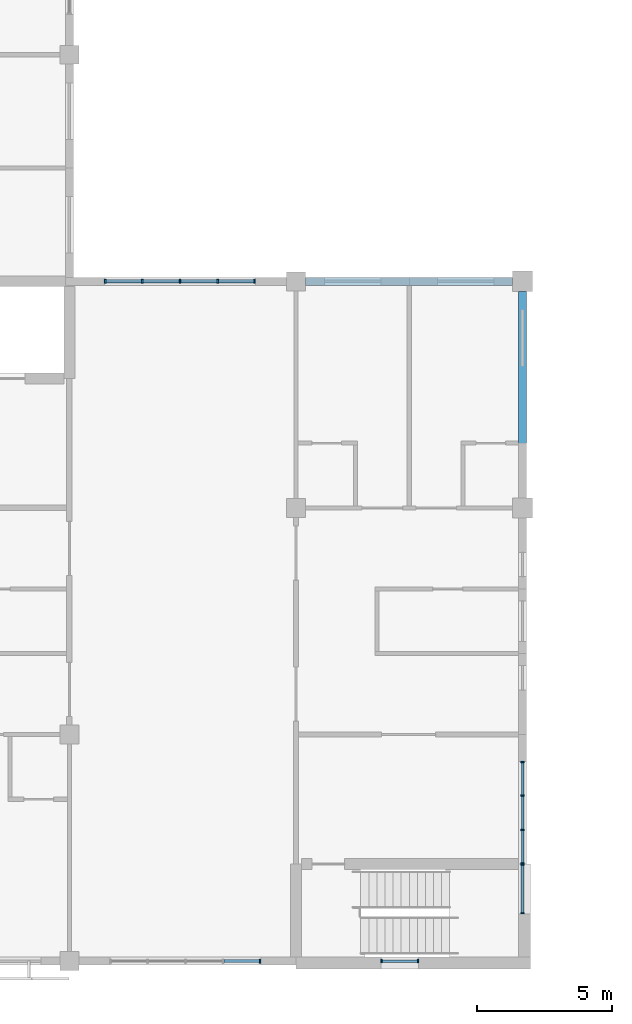
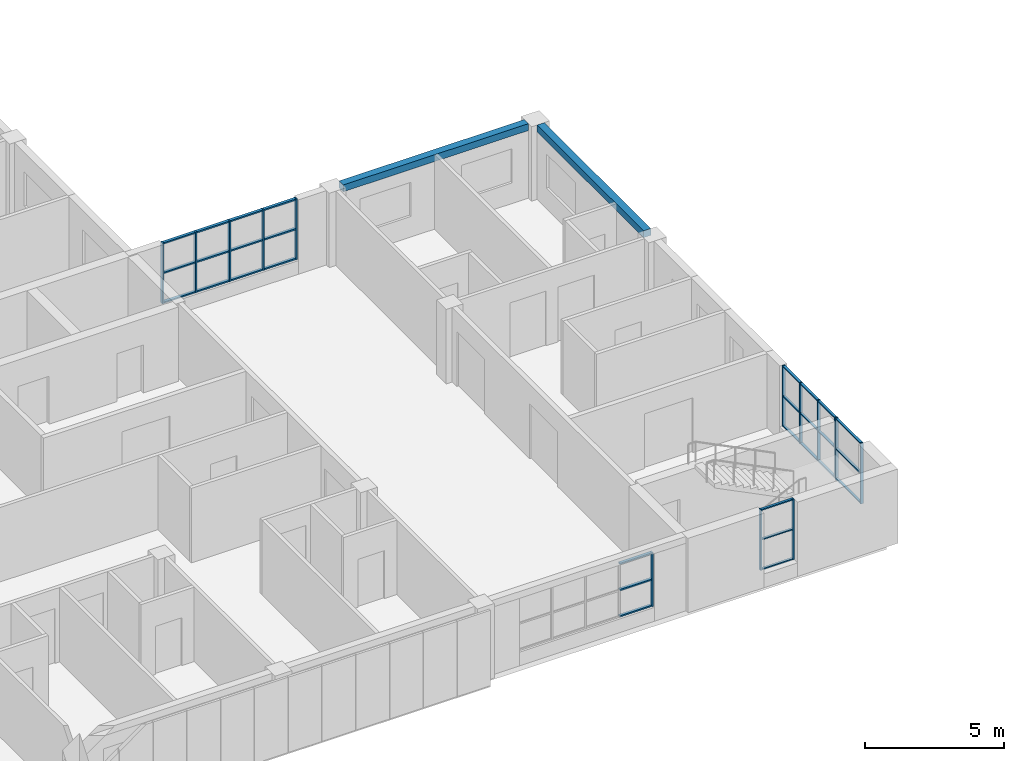
# One storey, part 4 of 45: 44 members, 2 beams, 5 elements without a shape of their own.
"""IFC4 building model written with IfcOpenShell, lengths in metres."""

from ifc_helpers import new_model, si_unit, direction, frame, origin, origin_2d, place, context, subcontext, project, spatial, rectangle, extrude, material, material_profile, profile_set, type_object, element, aggregate, save


model = new_model("IFC4")

# Units and contexts
model_context = context("Model", 3, precision=1e-05, world=origin(), true_north=direction((0.0, 1.0)))
body_context = subcontext(model_context, "Body", "Model", "MODEL_VIEW")
ifc_project = project(units=[si_unit("LENGTHUNIT", "METRE"), si_unit("AREAUNIT", "SQUARE_METRE"), si_unit("VOLUMEUNIT", "CUBIC_METRE"), si_unit("PLANEANGLEUNIT", "RADIAN"), si_unit("MASSUNIT", "GRAM", prefix="KILO")], contexts=[model_context])

# Site, building, storey
site_placement = place(None, origin())
site = spatial("IfcSite", under=ifc_project, at=site_placement, CompositionType="ELEMENT")
building_placement = place(site_placement, origin())
building = spatial("IfcBuilding", under=site, at=building_placement, Name="Yavir Park General Hospital", CompositionType="ELEMENT")
storey_placement = place(building_placement, frame((0.0, 0.0, 22.5)))
storey = spatial("IfcBuildingStorey", under=building, at=storey_placement, Name="L05", CompositionType="ELEMENT", Elevation=22.5)

# Curtain wall, members
ifc_material_1 = material(Name="Aluminium curtain wall frame with insulated glazing", Category="aluminium")
curtain_wall_type_1 = type_object("IfcCurtainWallType", Name="Day room pocket glazing, ward floors, 2360 high, 1400 module", PredefinedType="NOTDEFINED", material=ifc_material_1)
curtain_wall_1_placement = place(storey_placement, origin())
curtain_wall_1 = element("IfcCurtainWall", 1, at=curtain_wall_1_placement, inside=storey, type_object=curtain_wall_type_1, Name="CW6 L05-002", PredefinedType="NOTDEFINED")
ifc_material_2 = material(Name="Aluminium", Category="aluminium")
ifc_material_profile_1 = material_profile(ifc_material_2, rectangle(XDim=0.139892578125, YDim=0.06005859375, at=origin_2d()), Name="AL 60x140")
ifc_profile_set_1 = profile_set([ifc_material_profile_1], Name="Aluminium")
member_type_1 = type_object("IfcMemberType", Name="Day room pocket glazing, ward floors, 2360 high mullion 60 x 140", PredefinedType="MULLION", material=ifc_profile_set_1)
member_1_placement = place(storey_placement, frame((32.27001953125, 0.0, 0.60009765625), z_axis=(0.0, 0.0, 1.0), x_axis=(0.0, 1.0, 0.0)))
member_1 = element("IfcMember", 2, at=member_1_placement, type_object=member_type_1, Name="CW6 mullion 5", PredefinedType="MULLION", context=body_context, shape_type="SweptSolid", body=[
    extrude(rectangle(XDim=0.139892578125, YDim=0.06005859375, at=origin_2d()), origin(), (0.0, 0.0, 1.0), 2.35986328125),
])
ifc_material_3 = material(Name="Aluminium", Category="aluminium")
ifc_material_profile_2 = material_profile(ifc_material_3, rectangle(XDim=0.1201171875, YDim=0.06005859375, at=origin_2d()), Name="AL 120x60")
ifc_profile_set_2 = profile_set([ifc_material_profile_2], Name="Aluminium")
member_type_2 = type_object("IfcMemberType", Name="Day room pocket glazing, ward floors, 2360 high transom 60 x 120", PredefinedType="MULLION", material=ifc_profile_set_2)
member_2_placement = place(storey_placement, frame((30.929931640625, 0.0, 0.6298828125), z_axis=(1.0, 0.0, 0.0), x_axis=(0.0, 1.0, 0.0)))
member_2 = element("IfcMember", 3, at=member_2_placement, type_object=member_type_2, Name="CW6 transom 4.1", PredefinedType="MULLION", context=body_context, shape_type="SweptSolid", body=[
    extrude(rectangle(XDim=0.1201171875, YDim=0.06005859375, at=origin_2d()), origin(), (0.0, 0.0, 1.0), 1.31005859375),
])
member_3_placement = place(storey_placement, frame((30.929931640625, 0.0, 1.780029296875), z_axis=(1.0, 0.0, 0.0), x_axis=(0.0, 1.0, 0.0)))
member_3 = element("IfcMember", 4, at=member_3_placement, type_object=member_type_2, Name="CW6 transom 4.2", PredefinedType="MULLION", context=body_context, shape_type="SweptSolid", body=[
    extrude(rectangle(XDim=0.1201171875, YDim=0.06005859375, at=origin_2d()), origin(), (0.0, 0.0, 1.0), 1.31005859375),
])
member_4_placement = place(storey_placement, frame((30.929931640625, 0.0, 2.929931640625), z_axis=(1.0, 0.0, 0.0), x_axis=(0.0, 1.0, 0.0)))
member_4 = element("IfcMember", 5, at=member_4_placement, type_object=member_type_2, Name="CW6 transom 4.3", PredefinedType="MULLION", context=body_context, shape_type="SweptSolid", body=[
    extrude(rectangle(XDim=0.1201171875, YDim=0.06005859375, at=origin_2d()), origin(), (0.0, 0.0, 1.0), 1.31005859375),
])
aggregate(curtain_wall_1, [member_1, member_2, member_3, member_4])

ifc_material_4 = material(Name="Aluminium curtain wall frame with insulated glazing", Category="aluminium")
curtain_wall_type_2 = type_object("IfcCurtainWallType", Name="Day room pocket glazing, ward floors, 2660 high, 1400 module", PredefinedType="NOTDEFINED", material=ifc_material_4)
curtain_wall_2_placement = place(storey_placement, origin())
curtain_wall_2 = element("IfcCurtainWall", 6, at=curtain_wall_2_placement, inside=storey, type_object=curtain_wall_type_2, Name="CW62 L05-010", PredefinedType="NOTDEFINED")
ifc_material_5 = material(Name="Aluminium", Category="aluminium")
ifc_material_profile_3 = material_profile(ifc_material_5, rectangle(XDim=0.139892578125, YDim=0.06005859375, at=origin_2d()), Name="AL 60x140")
ifc_profile_set_3 = profile_set([ifc_material_profile_3], Name="Aluminium")
member_type_3 = type_object("IfcMemberType", Name="Day room pocket glazing, ward floors, 2660 high mullion 60 x 140", PredefinedType="MULLION", material=ifc_profile_set_3)
member_5_placement = place(storey_placement, frame((26.530029296875, 25.199951171875, 0.60009765625), z_axis=(0.0, 0.0, 1.0), x_axis=(0.0, 1.0, 0.0)))
member_5 = element("IfcMember", 7, at=member_5_placement, type_object=member_type_3, Name="CW62 mullion 1", PredefinedType="MULLION", context=body_context, shape_type="SweptSolid", body=[
    extrude(rectangle(XDim=0.139892578125, YDim=0.06005859375, at=origin_2d()), origin(), (0.0, 0.0, 1.0), 2.659912109375),
])
member_6_placement = place(storey_placement, frame((27.89990234375, 25.199951171875, 0.60009765625), z_axis=(0.0, 0.0, 1.0), x_axis=(0.0, 1.0, 0.0)))
member_6 = element("IfcMember", 8, at=member_6_placement, type_object=member_type_3, Name="CW62 mullion 2", PredefinedType="MULLION", context=body_context, shape_type="SweptSolid", body=[
    extrude(rectangle(XDim=0.139892578125, YDim=0.06005859375, at=origin_2d()), origin(), (0.0, 0.0, 1.0), 2.659912109375),
])
member_7_placement = place(storey_placement, frame((29.300048828125, 25.199951171875, 0.60009765625), z_axis=(0.0, 0.0, 1.0), x_axis=(0.0, 1.0, 0.0)))
member_7 = element("IfcMember", 9, at=member_7_placement, type_object=member_type_3, Name="CW62 mullion 3", PredefinedType="MULLION", context=body_context, shape_type="SweptSolid", body=[
    extrude(rectangle(XDim=0.139892578125, YDim=0.06005859375, at=origin_2d()), origin(), (0.0, 0.0, 1.0), 2.659912109375),
])
member_8_placement = place(storey_placement, frame((30.699951171875, 25.199951171875, 0.60009765625), z_axis=(0.0, 0.0, 1.0), x_axis=(0.0, 1.0, 0.0)))
member_8 = element("IfcMember", 10, at=member_8_placement, type_object=member_type_3, Name="CW62 mullion 4", PredefinedType="MULLION", context=body_context, shape_type="SweptSolid", body=[
    extrude(rectangle(XDim=0.139892578125, YDim=0.06005859375, at=origin_2d()), origin(), (0.0, 0.0, 1.0), 2.659912109375),
])
member_9_placement = place(storey_placement, frame((32.070068359375, 25.199951171875, 0.60009765625), z_axis=(0.0, 0.0, 1.0), x_axis=(0.0, 1.0, 0.0)))
member_9 = element("IfcMember", 11, at=member_9_placement, type_object=member_type_3, Name="CW62 mullion 5", PredefinedType="MULLION", context=body_context, shape_type="SweptSolid", body=[
    extrude(rectangle(XDim=0.139892578125, YDim=0.06005859375, at=origin_2d()), origin(), (0.0, 0.0, 1.0), 2.659912109375),
])
ifc_material_6 = material(Name="Aluminium", Category="aluminium")
ifc_material_profile_4 = material_profile(ifc_material_6, rectangle(XDim=0.1201171875, YDim=0.06005859375, at=origin_2d()), Name="AL 120x60")
ifc_profile_set_4 = profile_set([ifc_material_profile_4], Name="Aluminium")
member_type_4 = type_object("IfcMemberType", Name="Day room pocket glazing, ward floors, 2660 high transom 60 x 120", PredefinedType="MULLION", material=ifc_profile_set_4)
member_10_placement = place(storey_placement, frame((26.56005859375, 25.199951171875, 0.6298828125), z_axis=(1.0, 0.0, 0.0), x_axis=(0.0, 1.0, 0.0)))
member_10 = element("IfcMember", 12, at=member_10_placement, type_object=member_type_4, Name="CW62 transom 1.1", PredefinedType="MULLION", context=body_context, shape_type="SweptSolid", body=[
    extrude(rectangle(XDim=0.1201171875, YDim=0.06005859375, at=origin_2d()), origin(), (0.0, 0.0, 1.0), 1.31005859375),
])
member_11_placement = place(storey_placement, frame((26.56005859375, 25.199951171875, 1.929931640625), z_axis=(1.0, 0.0, 0.0), x_axis=(0.0, 1.0, 0.0)))
member_11 = element("IfcMember", 13, at=member_11_placement, type_object=member_type_4, Name="CW62 transom 1.2", PredefinedType="MULLION", context=body_context, shape_type="SweptSolid", body=[
    extrude(rectangle(XDim=0.1201171875, YDim=0.06005859375, at=origin_2d()), origin(), (0.0, 0.0, 1.0), 1.31005859375),
])
member_12_placement = place(storey_placement, frame((26.56005859375, 25.199951171875, 3.22998046875), z_axis=(1.0, 0.0, 0.0), x_axis=(0.0, 1.0, 0.0)))
member_12 = element("IfcMember", 14, at=member_12_placement, type_object=member_type_4, Name="CW62 transom 1.3", PredefinedType="MULLION", context=body_context, shape_type="SweptSolid", body=[
    extrude(rectangle(XDim=0.1201171875, YDim=0.06005859375, at=origin_2d()), origin(), (0.0, 0.0, 1.0), 1.31005859375),
])
member_13_placement = place(storey_placement, frame((27.929931640625, 25.199951171875, 0.6298828125), z_axis=(1.0, 0.0, 0.0), x_axis=(0.0, 1.0, 0.0)))
member_13 = element("IfcMember", 15, at=member_13_placement, type_object=member_type_4, Name="CW62 transom 2.1", PredefinedType="MULLION", context=body_context, shape_type="SweptSolid", body=[
    extrude(rectangle(XDim=0.1201171875, YDim=0.06005859375, at=origin_2d()), origin(), (0.0, 0.0, 1.0), 1.340087890625),
])
member_14_placement = place(storey_placement, frame((27.929931640625, 25.199951171875, 1.929931640625), z_axis=(1.0, 0.0, 0.0), x_axis=(0.0, 1.0, 0.0)))
member_14 = element("IfcMember", 16, at=member_14_placement, type_object=member_type_4, Name="CW62 transom 2.2", PredefinedType="MULLION", context=body_context, shape_type="SweptSolid", body=[
    extrude(rectangle(XDim=0.1201171875, YDim=0.06005859375, at=origin_2d()), origin(), (0.0, 0.0, 1.0), 1.340087890625),
])
member_15_placement = place(storey_placement, frame((27.929931640625, 25.199951171875, 3.22998046875), z_axis=(1.0, 0.0, 0.0), x_axis=(0.0, 1.0, 0.0)))
member_15 = element("IfcMember", 17, at=member_15_placement, type_object=member_type_4, Name="CW62 transom 2.3", PredefinedType="MULLION", context=body_context, shape_type="SweptSolid", body=[
    extrude(rectangle(XDim=0.1201171875, YDim=0.06005859375, at=origin_2d()), origin(), (0.0, 0.0, 1.0), 1.340087890625),
])
member_16_placement = place(storey_placement, frame((29.330078125, 25.199951171875, 0.6298828125), z_axis=(1.0, 0.0, 0.0), x_axis=(0.0, 1.0, 0.0)))
member_16 = element("IfcMember", 18, at=member_16_placement, type_object=member_type_4, Name="CW62 transom 3.1", PredefinedType="MULLION", context=body_context, shape_type="SweptSolid", body=[
    extrude(rectangle(XDim=0.1201171875, YDim=0.06005859375, at=origin_2d()), origin(), (0.0, 0.0, 1.0), 1.33984375),
])
member_17_placement = place(storey_placement, frame((29.330078125, 25.199951171875, 1.929931640625), z_axis=(1.0, 0.0, 0.0), x_axis=(0.0, 1.0, 0.0)))
member_17 = element("IfcMember", 19, at=member_17_placement, type_object=member_type_4, Name="CW62 transom 3.2", PredefinedType="MULLION", context=body_context, shape_type="SweptSolid", body=[
    extrude(rectangle(XDim=0.1201171875, YDim=0.06005859375, at=origin_2d()), origin(), (0.0, 0.0, 1.0), 1.33984375),
])
member_18_placement = place(storey_placement, frame((29.330078125, 25.199951171875, 3.22998046875), z_axis=(1.0, 0.0, 0.0), x_axis=(0.0, 1.0, 0.0)))
member_18 = element("IfcMember", 20, at=member_18_placement, type_object=member_type_4, Name="CW62 transom 3.3", PredefinedType="MULLION", context=body_context, shape_type="SweptSolid", body=[
    extrude(rectangle(XDim=0.1201171875, YDim=0.06005859375, at=origin_2d()), origin(), (0.0, 0.0, 1.0), 1.33984375),
])
member_19_placement = place(storey_placement, frame((30.72998046875, 25.199951171875, 0.6298828125), z_axis=(1.0, 0.0, 0.0), x_axis=(0.0, 1.0, 0.0)))
member_19 = element("IfcMember", 21, at=member_19_placement, type_object=member_type_4, Name="CW62 transom 4.1", PredefinedType="MULLION", context=body_context, shape_type="SweptSolid", body=[
    extrude(rectangle(XDim=0.1201171875, YDim=0.06005859375, at=origin_2d()), origin(), (0.0, 0.0, 1.0), 1.31005859375),
])
member_20_placement = place(storey_placement, frame((30.72998046875, 25.199951171875, 1.929931640625), z_axis=(1.0, 0.0, 0.0), x_axis=(0.0, 1.0, 0.0)))
member_20 = element("IfcMember", 22, at=member_20_placement, type_object=member_type_4, Name="CW62 transom 4.2", PredefinedType="MULLION", context=body_context, shape_type="SweptSolid", body=[
    extrude(rectangle(XDim=0.1201171875, YDim=0.06005859375, at=origin_2d()), origin(), (0.0, 0.0, 1.0), 1.31005859375),
])
member_21_placement = place(storey_placement, frame((30.72998046875, 25.199951171875, 3.22998046875), z_axis=(1.0, 0.0, 0.0), x_axis=(0.0, 1.0, 0.0)))
member_21 = element("IfcMember", 23, at=member_21_placement, type_object=member_type_4, Name="CW62 transom 4.3", PredefinedType="MULLION", context=body_context, shape_type="SweptSolid", body=[
    extrude(rectangle(XDim=0.1201171875, YDim=0.06005859375, at=origin_2d()), origin(), (0.0, 0.0, 1.0), 1.31005859375),
])
aggregate(curtain_wall_2, [member_5, member_6, member_7, member_8, member_9, member_10, member_11, member_12, member_13, member_14, member_15, member_16, member_17, member_18, member_19, member_20, member_21])

# Beams
ifc_material_7 = material(Name="Concrete C35/45", Category="concrete")
ifc_material_profile_5 = material_profile(ifc_material_7, rectangle(XDim=0.300048828125, YDim=0.300048828125, at=origin_2d()), Name="RC300x300")
ifc_profile_set_5 = profile_set([ifc_material_profile_5], Name="Concrete C35/45")
beam_type = type_object("IfcBeamType", Name="RC BEAM 300x300 edge beam", PredefinedType="BEAM", material=ifc_profile_set_5)
beam_1_placement = place(storey_placement, frame((33.949951171875, 25.199951171875, 3.110107421875), z_axis=(1.0, 0.0, 0.0), x_axis=(0.0, 1.0, 0.0)))
element("IfcBeam", 24, at=beam_1_placement, inside=storey, type_object=beam_type, Name="B:EDGE:L05:011", PredefinedType="BEAM", context=body_context, shape_type="SweptSolid", body=[
    extrude(rectangle(XDim=0.300048828125, YDim=0.300048828125, at=origin_2d()), origin(), (0.0, 0.0, 1.0), 7.675048828125),
])
beam_2_placement = place(storey_placement, frame((42.0, 17.175048828125, 3.110107421875), z_axis=(0.0, 1.0, 0.0), x_axis=(-1.0, 0.0, 0.0)))
element("IfcBeam", 25, at=beam_2_placement, inside=storey, type_object=beam_type, Name="B:EDGE:L05:035", PredefinedType="BEAM", context=body_context, shape_type="SweptSolid", body=[
    extrude(rectangle(XDim=0.300048828125, YDim=0.300048828125, at=origin_2d()), origin(), (0.0, 0.0, 1.0), 7.64990234375),
])

# Curtain wall, members
ifc_material_8 = material(Name="Aluminium curtain wall frame with insulated glazing", Category="aluminium")
curtain_wall_type_3 = type_object("IfcCurtainWallType", Name="Stair light slot, ward floors, 2660 high, 1400 module", PredefinedType="NOTDEFINED", material=ifc_material_8)
curtain_wall_3_placement = place(storey_placement, origin())
curtain_wall_3 = element("IfcCurtainWall", 26, at=curtain_wall_3_placement, inside=storey, type_object=curtain_wall_type_3, Name="CW10 L05-003", PredefinedType="NOTDEFINED")
ifc_material_9 = material(Name="Aluminium", Category="aluminium")
ifc_material_profile_6 = material_profile(ifc_material_9, rectangle(XDim=0.1201171875, YDim=0.050048828125, at=origin_2d()), Name="AL 50x120")
ifc_profile_set_6 = profile_set([ifc_material_profile_6], Name="Aluminium")
member_type_5 = type_object("IfcMemberType", Name="Stair light slot, ward floors, 2660 high mullion 50 x 120", PredefinedType="MULLION", material=ifc_profile_set_6)
member_22_placement = place(storey_placement, frame((36.77490234375, 0.0, 0.60009765625), z_axis=(0.0, 0.0, 1.0), x_axis=(0.0, 1.0, 0.0)))
member_22 = element("IfcMember", 27, at=member_22_placement, type_object=member_type_5, Name="CW10 mullion 1", PredefinedType="MULLION", context=body_context, shape_type="SweptSolid", body=[
    extrude(rectangle(XDim=0.1201171875, YDim=0.050048828125, at=origin_2d()), origin(), (0.0, 0.0, 1.0), 2.659912109375),
])
member_23_placement = place(storey_placement, frame((38.125, 0.0, 0.60009765625), z_axis=(0.0, 0.0, 1.0), x_axis=(0.0, 1.0, 0.0)))
member_23 = element("IfcMember", 28, at=member_23_placement, type_object=member_type_5, Name="CW10 mullion 2", PredefinedType="MULLION", context=body_context, shape_type="SweptSolid", body=[
    extrude(rectangle(XDim=0.1201171875, YDim=0.050048828125, at=origin_2d()), origin(), (0.0, 0.0, 1.0), 2.659912109375),
])

curtain_wall_4_placement = place(storey_placement, origin())
curtain_wall_4 = element("IfcCurtainWall", 29, at=curtain_wall_4_placement, inside=storey, type_object=curtain_wall_type_3, Name="CW10 L05-026", PredefinedType="NOTDEFINED")
member_24_placement = place(storey_placement, frame((42.0, 1.77490234375, 0.60009765625), z_axis=(0.0, 0.0, 1.0), x_axis=(-1.0, 0.0, 0.0)))
member_24 = element("IfcMember", 30, at=member_24_placement, type_object=member_type_5, Name="CW10 mullion 1", PredefinedType="MULLION", context=body_context, shape_type="SweptSolid", body=[
    extrude(rectangle(XDim=0.1201171875, YDim=0.050048828125, at=origin_2d()), origin(), (0.0, 0.0, 1.0), 2.659912109375),
])
member_25_placement = place(storey_placement, frame((42.0, 3.574951171875, 0.60009765625), z_axis=(0.0, 0.0, 1.0), x_axis=(-1.0, 0.0, 0.0)))
member_25 = element("IfcMember", 31, at=member_25_placement, type_object=member_type_5, Name="CW10 mullion 2", PredefinedType="MULLION", context=body_context, shape_type="SweptSolid", body=[
    extrude(rectangle(XDim=0.1201171875, YDim=0.050048828125, at=origin_2d()), origin(), (0.0, 0.0, 1.0), 2.659912109375),
])

# Member
ifc_material_10 = material(Name="Aluminium", Category="aluminium")
ifc_material_profile_7 = material_profile(ifc_material_10, rectangle(XDim=0.10009765625, YDim=0.050048828125, at=origin_2d()), Name="AL 100x50")
ifc_profile_set_7 = profile_set([ifc_material_profile_7], Name="Aluminium")
member_type_6 = type_object("IfcMemberType", Name="Stair light slot, ward floors, 2660 high transom 50 x 100", PredefinedType="MULLION", material=ifc_profile_set_7)
member_26_placement = place(storey_placement, frame((36.800048828125, 0.0, 0.625), z_axis=(1.0, 0.0, 0.0), x_axis=(0.0, 1.0, 0.0)))
member_26 = element("IfcMember", 32, at=member_26_placement, type_object=member_type_6, Name="CW10 transom 1.1", PredefinedType="MULLION", context=body_context, shape_type="SweptSolid", body=[
    extrude(rectangle(XDim=0.10009765625, YDim=0.050048828125, at=origin_2d()), origin(), (0.0, 0.0, 1.0), 1.300048828125),
])

member_27_placement = place(storey_placement, frame((36.800048828125, 0.0, 1.929931640625), z_axis=(1.0, 0.0, 0.0), x_axis=(0.0, 1.0, 0.0)))
member_27 = element("IfcMember", 33, at=member_27_placement, type_object=member_type_6, Name="CW10 transom 1.2", PredefinedType="MULLION", context=body_context, shape_type="SweptSolid", body=[
    extrude(rectangle(XDim=0.10009765625, YDim=0.050048828125, at=origin_2d()), origin(), (0.0, 0.0, 1.0), 1.300048828125),
])

member_28_placement = place(storey_placement, frame((36.800048828125, 0.0, 3.235107421875), z_axis=(1.0, 0.0, 0.0), x_axis=(0.0, 1.0, 0.0)))
member_28 = element("IfcMember", 34, at=member_28_placement, type_object=member_type_6, Name="CW10 transom 1.3", PredefinedType="MULLION", context=body_context, shape_type="SweptSolid", body=[
    extrude(rectangle(XDim=0.10009765625, YDim=0.050048828125, at=origin_2d()), origin(), (0.0, 0.0, 1.0), 1.300048828125),
])

aggregate(curtain_wall_3, [member_22, member_23, member_26, member_27, member_28])

member_29_placement = place(storey_placement, frame((42.0, 1.800048828125, 0.625), z_axis=(0.0, 1.0, 0.0), x_axis=(-1.0, 0.0, 0.0)))
member_29 = element("IfcMember", 35, at=member_29_placement, type_object=member_type_6, Name="CW10 transom 1.1", PredefinedType="MULLION", context=body_context, shape_type="SweptSolid", body=[
    extrude(rectangle(XDim=0.10009765625, YDim=0.050048828125, at=origin_2d()), origin(), (0.0, 0.0, 1.0), 1.75),
])

member_30_placement = place(storey_placement, frame((42.0, 1.800048828125, 1.929931640625), z_axis=(0.0, 1.0, 0.0), x_axis=(-1.0, 0.0, 0.0)))
member_30 = element("IfcMember", 36, at=member_30_placement, type_object=member_type_6, Name="CW10 transom 1.2", PredefinedType="MULLION", context=body_context, shape_type="SweptSolid", body=[
    extrude(rectangle(XDim=0.10009765625, YDim=0.050048828125, at=origin_2d()), origin(), (0.0, 0.0, 1.0), 1.75),
])

member_31_placement = place(storey_placement, frame((42.0, 1.800048828125, 3.235107421875), z_axis=(0.0, 1.0, 0.0), x_axis=(-1.0, 0.0, 0.0)))
member_31 = element("IfcMember", 37, at=member_31_placement, type_object=member_type_6, Name="CW10 transom 1.3", PredefinedType="MULLION", context=body_context, shape_type="SweptSolid", body=[
    extrude(rectangle(XDim=0.10009765625, YDim=0.050048828125, at=origin_2d()), origin(), (0.0, 0.0, 1.0), 1.75),
])

aggregate(curtain_wall_4, [member_24, member_25, member_29, member_30, member_31])

# Curtain wall, members
ifc_material_11 = material(Name="Aluminium curtain wall frame with insulated glazing", Category="aluminium")
curtain_wall_type_4 = type_object("IfcCurtainWallType", Name="Ward corridor end glazing, 2660 high, 1400 module", PredefinedType="NOTDEFINED", material=ifc_material_11)
curtain_wall_5_placement = place(storey_placement, origin())
curtain_wall_5 = element("IfcCurtainWall", 38, at=curtain_wall_5_placement, inside=storey, type_object=curtain_wall_type_4, Name="CW15 L05-027", PredefinedType="NOTDEFINED")
ifc_material_12 = material(Name="Aluminium", Category="aluminium")
ifc_material_profile_8 = material_profile(ifc_material_12, rectangle(XDim=0.1201171875, YDim=0.050048828125, at=origin_2d()), Name="AL 50x120")
ifc_profile_set_8 = profile_set([ifc_material_profile_8], Name="Aluminium")
member_type_7 = type_object("IfcMemberType", Name="Ward corridor end glazing, 2660 high mullion 50 x 120", PredefinedType="MULLION", material=ifc_profile_set_8)
member_32_placement = place(storey_placement, frame((42.0, 3.625, 0.60009765625), z_axis=(0.0, 0.0, 1.0), x_axis=(-1.0, 0.0, 0.0)))
member_32 = element("IfcMember", 39, at=member_32_placement, type_object=member_type_7, Name="CW15 mullion 1", PredefinedType="MULLION", context=body_context, shape_type="SweptSolid", body=[
    extrude(rectangle(XDim=0.1201171875, YDim=0.050048828125, at=origin_2d()), origin(), (0.0, 0.0, 1.0), 2.659912109375),
])
member_33_placement = place(storey_placement, frame((42.0, 4.86669921875, 0.60009765625), z_axis=(0.0, 0.0, 1.0), x_axis=(-1.0, 0.0, 0.0)))
member_33 = element("IfcMember", 40, at=member_33_placement, type_object=member_type_7, Name="CW15 mullion 2", PredefinedType="MULLION", context=body_context, shape_type="SweptSolid", body=[
    extrude(rectangle(XDim=0.1201171875, YDim=0.050048828125, at=origin_2d()), origin(), (0.0, 0.0, 1.0), 2.659912109375),
])
member_34_placement = place(storey_placement, frame((42.0, 6.13330078125, 0.60009765625), z_axis=(0.0, 0.0, 1.0), x_axis=(-1.0, 0.0, 0.0)))
member_34 = element("IfcMember", 41, at=member_34_placement, type_object=member_type_7, Name="CW15 mullion 3", PredefinedType="MULLION", context=body_context, shape_type="SweptSolid", body=[
    extrude(rectangle(XDim=0.1201171875, YDim=0.050048828125, at=origin_2d()), origin(), (0.0, 0.0, 1.0), 2.659912109375),
])
member_35_placement = place(storey_placement, frame((42.0, 7.375, 0.60009765625), z_axis=(0.0, 0.0, 1.0), x_axis=(-1.0, 0.0, 0.0)))
member_35 = element("IfcMember", 42, at=member_35_placement, type_object=member_type_7, Name="CW15 mullion 4", PredefinedType="MULLION", context=body_context, shape_type="SweptSolid", body=[
    extrude(rectangle(XDim=0.1201171875, YDim=0.050048828125, at=origin_2d()), origin(), (0.0, 0.0, 1.0), 2.659912109375),
])
ifc_material_13 = material(Name="Aluminium", Category="aluminium")
ifc_material_profile_9 = material_profile(ifc_material_13, rectangle(XDim=0.10009765625, YDim=0.050048828125, at=origin_2d()), Name="AL 100x50")
ifc_profile_set_9 = profile_set([ifc_material_profile_9], Name="Aluminium")
member_type_8 = type_object("IfcMemberType", Name="Ward corridor end glazing, 2660 high transom 50 x 100", PredefinedType="MULLION", material=ifc_profile_set_9)
member_36_placement = place(storey_placement, frame((42.0, 3.64990234375, 0.625), z_axis=(0.0, 1.0, 0.0), x_axis=(-1.0, 0.0, 0.0)))
member_36 = element("IfcMember", 43, at=member_36_placement, type_object=member_type_8, Name="CW15 transom 1.1", PredefinedType="MULLION", context=body_context, shape_type="SweptSolid", body=[
    extrude(rectangle(XDim=0.10009765625, YDim=0.050048828125, at=origin_2d()), origin(), (0.0, 0.0, 1.0), 1.191650390625),
])
member_37_placement = place(storey_placement, frame((42.0, 3.64990234375, 1.929931640625), z_axis=(0.0, 1.0, 0.0), x_axis=(-1.0, 0.0, 0.0)))
member_37 = element("IfcMember", 44, at=member_37_placement, type_object=member_type_8, Name="CW15 transom 1.2", PredefinedType="MULLION", context=body_context, shape_type="SweptSolid", body=[
    extrude(rectangle(XDim=0.10009765625, YDim=0.050048828125, at=origin_2d()), origin(), (0.0, 0.0, 1.0), 1.191650390625),
])
member_38_placement = place(storey_placement, frame((42.0, 3.64990234375, 3.235107421875), z_axis=(0.0, 1.0, 0.0), x_axis=(-1.0, 0.0, 0.0)))
member_38 = element("IfcMember", 45, at=member_38_placement, type_object=member_type_8, Name="CW15 transom 1.3", PredefinedType="MULLION", context=body_context, shape_type="SweptSolid", body=[
    extrude(rectangle(XDim=0.10009765625, YDim=0.050048828125, at=origin_2d()), origin(), (0.0, 0.0, 1.0), 1.191650390625),
])
member_39_placement = place(storey_placement, frame((42.0, 4.8916015625, 0.625), z_axis=(0.0, 1.0, 0.0), x_axis=(-1.0, 0.0, 0.0)))
member_39 = element("IfcMember", 46, at=member_39_placement, type_object=member_type_8, Name="CW15 transom 2.1", PredefinedType="MULLION", context=body_context, shape_type="SweptSolid", body=[
    extrude(rectangle(XDim=0.10009765625, YDim=0.050048828125, at=origin_2d()), origin(), (0.0, 0.0, 1.0), 1.216796875),
])
member_40_placement = place(storey_placement, frame((42.0, 4.8916015625, 1.929931640625), z_axis=(0.0, 1.0, 0.0), x_axis=(-1.0, 0.0, 0.0)))
member_40 = element("IfcMember", 47, at=member_40_placement, type_object=member_type_8, Name="CW15 transom 2.2", PredefinedType="MULLION", context=body_context, shape_type="SweptSolid", body=[
    extrude(rectangle(XDim=0.10009765625, YDim=0.050048828125, at=origin_2d()), origin(), (0.0, 0.0, 1.0), 1.216796875),
])
member_41_placement = place(storey_placement, frame((42.0, 4.8916015625, 3.235107421875), z_axis=(0.0, 1.0, 0.0), x_axis=(-1.0, 0.0, 0.0)))
member_41 = element("IfcMember", 48, at=member_41_placement, type_object=member_type_8, Name="CW15 transom 2.3", PredefinedType="MULLION", context=body_context, shape_type="SweptSolid", body=[
    extrude(rectangle(XDim=0.10009765625, YDim=0.050048828125, at=origin_2d()), origin(), (0.0, 0.0, 1.0), 1.216796875),
])
member_42_placement = place(storey_placement, frame((42.0, 6.158447265625, 0.625), z_axis=(0.0, 1.0, 0.0), x_axis=(-1.0, 0.0, 0.0)))
member_42 = element("IfcMember", 49, at=member_42_placement, type_object=member_type_8, Name="CW15 transom 3.1", PredefinedType="MULLION", context=body_context, shape_type="SweptSolid", body=[
    extrude(rectangle(XDim=0.10009765625, YDim=0.050048828125, at=origin_2d()), origin(), (0.0, 0.0, 1.0), 1.191650390625),
])
member_43_placement = place(storey_placement, frame((42.0, 6.158447265625, 1.929931640625), z_axis=(0.0, 1.0, 0.0), x_axis=(-1.0, 0.0, 0.0)))
member_43 = element("IfcMember", 50, at=member_43_placement, type_object=member_type_8, Name="CW15 transom 3.2", PredefinedType="MULLION", context=body_context, shape_type="SweptSolid", body=[
    extrude(rectangle(XDim=0.10009765625, YDim=0.050048828125, at=origin_2d()), origin(), (0.0, 0.0, 1.0), 1.191650390625),
])
member_44_placement = place(storey_placement, frame((42.0, 6.158447265625, 3.235107421875), z_axis=(0.0, 1.0, 0.0), x_axis=(-1.0, 0.0, 0.0)))
member_44 = element("IfcMember", 51, at=member_44_placement, type_object=member_type_8, Name="CW15 transom 3.3", PredefinedType="MULLION", context=body_context, shape_type="SweptSolid", body=[
    extrude(rectangle(XDim=0.10009765625, YDim=0.050048828125, at=origin_2d()), origin(), (0.0, 0.0, 1.0), 1.191650390625),
])
aggregate(curtain_wall_5, [member_32, member_33, member_34, member_35, member_36, member_37, member_38, member_39, member_40, member_41, member_42, member_43, member_44])

save(model, "model.ifc")
